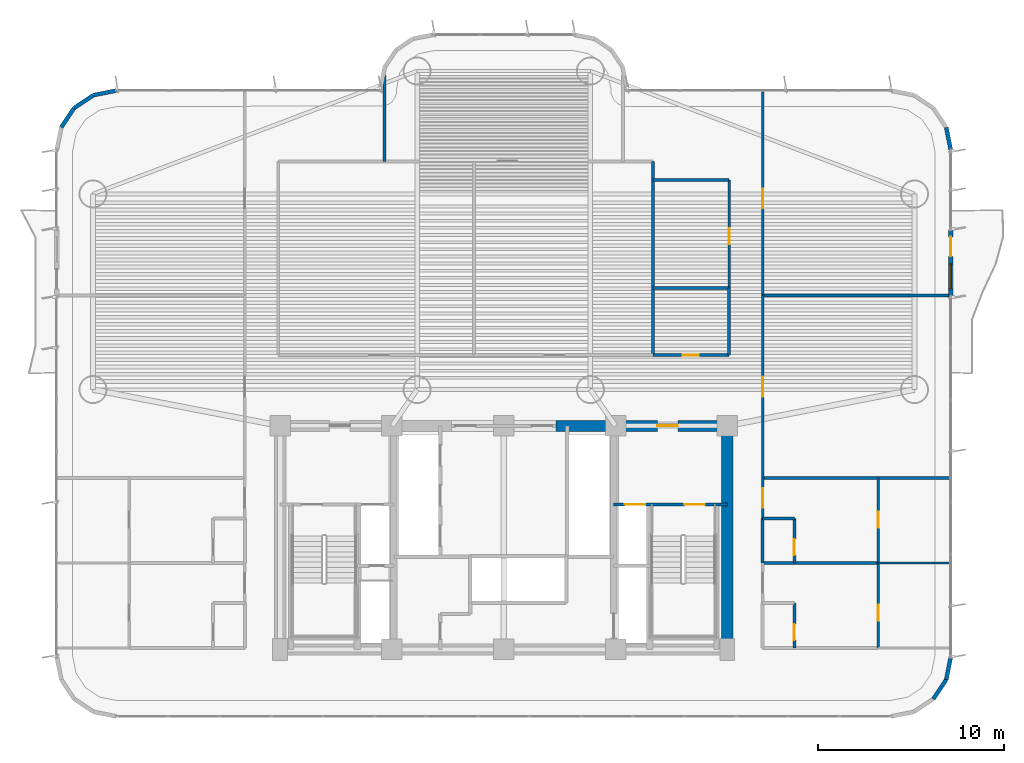
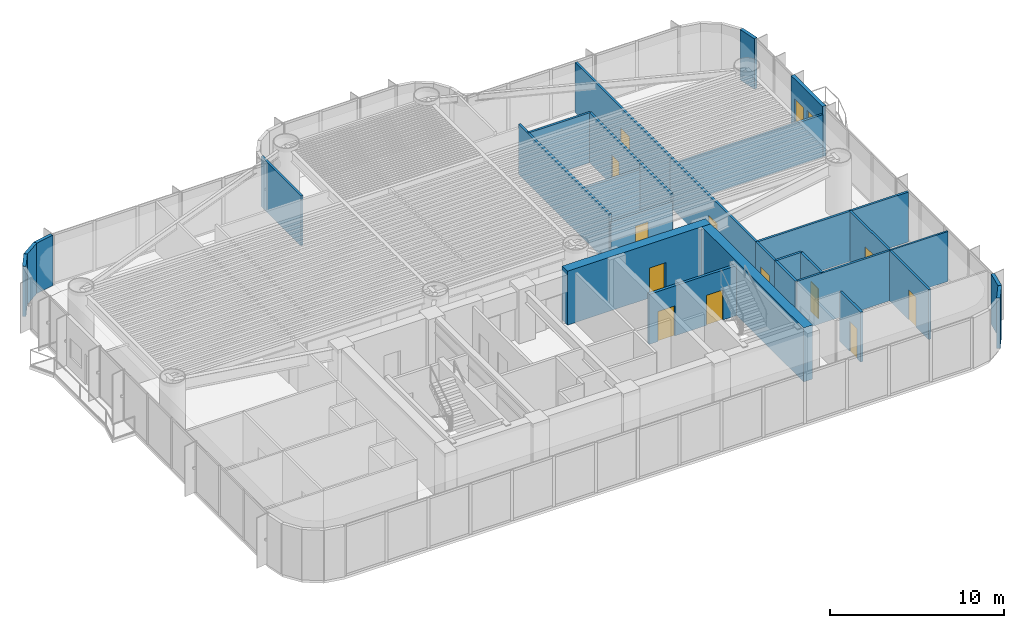
# One storey, part 12 of 17: 30 walls, 13 doors, 1 window, 14 openings.
"""IFC4 building model written with IfcOpenShell, lengths in metres."""

from ifc_helpers import new_model, si_unit, direction, frame, frame_2d, origin, origin_2d, place, context, subcontext, project, spatial, rectangle, extrude, source, transform, mapped, material, layer, layer_set, type_object, element, fill, save


model = new_model("IFC4")

# Units and contexts
model_context = context("Model", 3, precision=1e-05, world=origin(), true_north=direction((0.0, 1.0)))
body_context = subcontext(model_context, "Body", "Model", "MODEL_VIEW")
ifc_project = project(units=[si_unit("LENGTHUNIT", "METRE"), si_unit("AREAUNIT", "SQUARE_METRE"), si_unit("VOLUMEUNIT", "CUBIC_METRE"), si_unit("PLANEANGLEUNIT", "RADIAN"), si_unit("MASSUNIT", "GRAM", prefix="KILO")], contexts=[model_context])

# Site, building, storey
site_placement = place(None, origin())
site = spatial("IfcSite", under=ifc_project, at=site_placement, CompositionType="ELEMENT")
building_placement = place(site_placement, origin())
building = spatial("IfcBuilding", under=site, at=building_placement, Name="Brelvock Crest Care Tower", CompositionType="ELEMENT")
storey_placement = place(building_placement, frame((0.0, 0.0, 49.679931640625)))
storey = spatial("IfcBuildingStorey", under=building, at=storey_placement, Name="L12", CompositionType="ELEMENT", Elevation=49.679931640625)

# Wall
ifc_material_1 = material(Name="Concrete S80 (80 MPa)", Category="concrete")
ifc_layer_1 = layer(ifc_material_1, 0.60009765625, Name="WL-CS1")
ifc_layer_set_1 = layer_set([ifc_layer_1], Name="Concrete S80 (80 MPa)")
wall_type_1 = type_object("IfcWallType", Name="WL-CS1", PredefinedType="SHEAR", material=ifc_layer_set_1)
wall_1_placement = place(storey_placement, frame((48.0, 18.0, 0.0), z_axis=(0.0, 0.0, 1.0), x_axis=(0.0, -1.0, 0.0)))
element("IfcWall", 1, at=wall_1_placement, inside=storey, type_object=wall_type_1, Name="L12 Core East Shear Wall", PredefinedType="SHEAR", context=body_context, shape_type="SweptSolid", body=[
    extrude(rectangle(XDim=12.0, YDim=0.60009765625, at=frame_2d((6.0, 0.0))), origin(), (0.0, 0.0, 1.0), 3.780029296875),
])

# Wall, opening, door
wall_2_placement = place(storey_placement, frame((38.800048828125, 18.0, 0.0), z_axis=(0.0, 0.0, 1.0), x_axis=(1.0, 0.0, 0.0)))
wall_2 = element("IfcWall", 2, at=wall_2_placement, inside=storey, type_object=wall_type_1, Name="L12 Core North-East Shear Wall", PredefinedType="SHEAR", context=body_context, shape_type="SweptSolid", body=[
    extrude(rectangle(XDim=9.5, YDim=0.60009765625, at=frame_2d((4.75, 0.0))), origin(), (0.0, 0.0, 1.0), 3.780029296875),
])
opening_1_placement = place(wall_2_placement, frame((5.449951171875, 0.0, 0.0)))
opening_1 = element("IfcOpeningElement", 3, at=opening_1_placement, cuts=wall_2, Name="Opening FD-1", PredefinedType="OPENING", context=body_context, shape_type="SweptSolid", body=[
    extrude(rectangle(XDim=1.10009765625, YDim=2.10009765625, at=origin_2d()), frame((0.550048828125, 0.31005859375, 1.050048828125), z_axis=(0.0, -1.0, 0.0), x_axis=(1.0, 0.0, 0.0)), (0.0, 0.0, 1.0), 0.6201171875),
])
ifc_material_2 = material(Name="Steel Grade 350", Category="steel")
door_type_1 = type_object("IfcDoorType", Name="DR-FFL1", OperationType="NOTDEFINED", PredefinedType="DOOR", material=ifc_material_2)
shared_shape_1 = source(origin(), body_context, "Body", "SweptSolid", [
    extrude(rectangle(XDim=1.10009765625, YDim=2.10009765625, at=origin_2d()), frame((0.550048828125, 0.02490234375, 1.050048828125), z_axis=(0.0, -1.0, 0.0), x_axis=(1.0, 0.0, 0.0)), (0.0, 0.0, 1.0), 0.050048828125),
])
door_1_placement = place(opening_1_placement, origin())
door_1 = element("IfcDoor", 4, at=door_1_placement, inside=storey, type_object=door_type_1, Name="L12 Firefighting Lobby FFL-2 Exit Door", OperationType="SINGLE_SWING_RIGHT", OverallHeight=2.10009765625, OverallWidth=1.10009765625, PredefinedType="DOOR", context=body_context, shape_type="MappedRepresentation", body=[
    mapped(shared_shape_1, transform((0.0, 0.0, 0.0), x_axis=(1.0, 0.0, 0.0), y_axis=(0.0, 1.0, 0.0), z_axis=(0.0, 0.0, 1.0), scale=1.0)),
])
fill(opening_1, door_1)

# Wall, openings, door, window
ifc_material_3 = material(Name="Precast concrete N40 (40 MPa)", Category="concrete")
ifc_layer_2 = layer(ifc_material_3, 0.239990234375, Name="WL-EX1")
ifc_layer_set_2 = layer_set([ifc_layer_2], Name="Precast concrete N40 (40 MPa)")
wall_type_2 = type_object("IfcWallType", Name="WL-EX1", PredefinedType="SOLIDWALL", material=ifc_layer_set_2)
wall_3_placement = place(storey_placement, frame((60.0, 28.550048828125, 0.0), z_axis=(0.0, 0.0, 1.0), x_axis=(0.0, -1.0, 0.0)))
wall_3 = element("IfcWall", 5, at=wall_3_placement, inside=storey, type_object=wall_type_2, Name="L12 Exterior Spandrel Wall WL-BAL-L12-E", PredefinedType="SOLIDWALL", context=body_context, shape_type="SweptSolid", body=[
    extrude(rectangle(XDim=3.60009765625, YDim=0.239990234375, at=frame_2d((1.800048828125, 0.0))), origin(), (0.0, 0.0, 1.0), 3.530029296875),
])
opening_2_placement = place(wall_3_placement, frame((0.39990234375, 0.0, 0.0)))
opening_2 = element("IfcOpeningElement", 6, at=opening_2_placement, cuts=wall_3, Name="Opening BD-1", PredefinedType="OPENING", context=body_context, shape_type="SweptSolid", body=[
    extrude(rectangle(XDim=1.050048828125, YDim=2.14990234375, at=origin_2d()), frame((0.52490234375, 0.1298828125, 1.074951171875), z_axis=(0.0, -1.0, 0.0), x_axis=(1.0, 0.0, 0.0)), (0.0, 0.0, 1.0), 0.260009765625),
])
opening_3_placement = place(wall_3_placement, frame((1.85009765625, 0.0, 0.85009765625)))
opening_3 = element("IfcOpeningElement", 7, at=opening_3_placement, cuts=wall_3, Name="Opening W-01", PredefinedType="OPENING", context=body_context, shape_type="SweptSolid", body=[
    extrude(rectangle(XDim=1.35009765625, YDim=1.35009765625, at=origin_2d()), frame((0.675048828125, 0.1298828125, 0.675048828125), z_axis=(0.0, -1.0, 0.0), x_axis=(1.0, 0.0, 0.0)), (0.0, 0.0, 1.0), 0.260009765625),
])
ifc_material_4 = material(Name="Dark Glass Double Glazed Low-E", Category="glass")
door_type_2 = type_object("IfcDoorType", Name="DR-BAL1", OperationType="NOTDEFINED", PredefinedType="DOOR", material=ifc_material_4)
shared_shape_2 = source(origin(), body_context, "Body", "SweptSolid", [
    extrude(rectangle(XDim=1.050048828125, YDim=2.14990234375, at=origin_2d()), frame((0.52490234375, 0.02490234375, 1.074951171875), z_axis=(0.0, -1.0, 0.0), x_axis=(1.0, 0.0, 0.0)), (0.0, 0.0, 1.0), 0.050048828125),
])
door_2_placement = place(opening_2_placement, origin())
door_2 = element("IfcDoor", 8, at=door_2_placement, inside=storey, type_object=door_type_2, Name="L12 E Wave Balcony Glazed Door", OperationType="SINGLE_SWING_RIGHT", OverallHeight=2.14990234375, OverallWidth=1.050048828125, PredefinedType="DOOR", context=body_context, shape_type="MappedRepresentation", body=[
    mapped(shared_shape_2, transform((0.0, 0.0, 0.0), x_axis=(1.0, 0.0, 0.0), y_axis=(0.0, 1.0, 0.0), z_axis=(0.0, 0.0, 1.0), scale=1.0)),
])
fill(opening_2, door_2)
window_type = type_object("IfcWindowType", Name="WN-EX1", PartitioningType="SINGLE_PANEL", PredefinedType="WINDOW", material=ifc_material_4)
shared_shape_3 = source(origin(), body_context, "Body", "SweptSolid", [
    extrude(rectangle(XDim=1.35009765625, YDim=1.35009765625, at=origin_2d()), frame((0.675048828125, 0.030029296875, 0.675048828125), z_axis=(0.0, -1.0, 0.0), x_axis=(1.0, 0.0, 0.0)), (0.0, 0.0, 1.0), 0.06005859375),
])
window_placement = place(opening_3_placement, origin())
window = element("IfcWindow", 9, at=window_placement, inside=storey, type_object=window_type, Name="L12 E Suite Casement Window", OverallHeight=1.35009765625, OverallWidth=1.35009765625, PartitioningType="SINGLE_PANEL", PredefinedType="WINDOW", context=body_context, shape_type="MappedRepresentation", body=[
    mapped(shared_shape_3, transform((0.0, 0.0, 0.0), x_axis=(1.0, 0.0, 0.0), y_axis=(0.0, 1.0, 0.0), z_axis=(0.0, 0.0, 1.0), scale=1.0)),
])
fill(opening_3, window)

# Walls
ifc_layer_3 = layer(ifc_material_3, 0.215087890625, Name="WL-EX2")
ifc_layer_set_3 = layer_set([ifc_layer_3], Name="Precast concrete N40 (40 MPa)")
wall_type_3 = type_object("IfcWallType", Name="WL-EX2", PredefinedType="SOLIDWALL", material=ifc_layer_set_3)
for number, where, z_axis, x_axis, name in (
    (10, (59.75634765625, 34.024658203125, 0.0), (0.0, 0.0, 1.0), (0.195138390419, -0.980775717779, 0.0), "L12 Rounded Corner Wall 02"),
    (11, (60.0, 5.60009765625, 0.0), (0.0, 0.0, 1.0), (-0.195138390419, -0.980775717779, 0.0), "L12 Rounded Corner Wall 04"),
    (12, (59.75634765625, 4.37548828125, 0.0), (0.0, 0.0, 1.0), (-0.555557312883, -0.831478245117, 0.0), "L12 Rounded Corner Wall 05"),
    (13, (12.24365234375, 34.024658203125, 0.0), (0.0, 0.0, 1.0), (0.555557312883, 0.831478245117, 0.0), "L12 Rounded Corner Wall 15"),
    (14, (12.937255859375, 35.062744140625, 0.0), (0.0, 0.0, 1.0), (0.831478245117, 0.555557312883, 0.0), "L12 Rounded Corner Wall 16"),
    (15, (13.975341796875, 35.75634765625, 0.0), (0.0, 0.0, 1.0), (0.980775717779, 0.195138390419, 0.0), "L12 Rounded Corner Wall 17"),
):
    element("IfcWall", number, at=place(storey_placement, frame(where, z_axis=z_axis, x_axis=x_axis)), inside=storey, type_object=wall_type_3, Name=name, PredefinedType="SOLIDWALL", context=body_context, shape_type="SweptSolid", body=[
        extrude(rectangle(XDim=1.24853515625, YDim=0.215087890625, at=frame_2d((0.624267578125, 0.0))), origin(), (0.0, 0.0, 1.0), 3.530029296875),
    ])
ifc_material_5 = material(Name="Masonry Blockwork Acoustic Partition", Category="masonry")
ifc_layer_4 = layer(ifc_material_5, 0.14990234375, Name="WL-INT1")
ifc_layer_set_4 = layer_set([ifc_layer_4], Name="Masonry Blockwork Acoustic Partition")
wall_type_4 = type_object("IfcWallType", Name="WL-INT1", PredefinedType="PARTITIONING", material=ifc_layer_set_4)
wall_4_placement = place(storey_placement, frame((49.89990234375, 10.639892578125, 0.0), z_axis=(0.0, 0.0, 1.0), x_axis=(1.0, 0.0, 0.0)))
element("IfcWall", 16, at=wall_4_placement, inside=storey, type_object=wall_type_4, Name="L12 Interior Wall WL-BX-L12-CS-ER1A-N", PredefinedType="PARTITIONING", context=body_context, shape_type="SweptSolid", body=[
    extrude(rectangle(XDim=6.2001953125, YDim=0.14990234375, at=frame_2d((3.10009765625, 0.0))), origin(), (0.0, 0.0, 1.0), 3.5),
])
wall_5_placement = place(storey_placement, frame((49.89990234375, 15.199951171875, 0.0), z_axis=(0.0, 0.0, 1.0), x_axis=(1.0, 0.0, 0.0)))
element("IfcWall", 17, at=wall_5_placement, inside=storey, type_object=wall_type_4, Name="L12 Interior Wall WL-BX-L12-ECL2-S", PredefinedType="PARTITIONING", context=body_context, shape_type="SweptSolid", body=[
    extrude(rectangle(XDim=10.02001953125, YDim=0.14990234375, at=frame_2d((5.010009765625, 0.0))), origin(), (0.0, 0.0, 1.0), 3.5),
])
wall_6_placement = place(storey_placement, frame((49.89990234375, 25.0, 0.0), z_axis=(0.0, 0.0, 1.0), x_axis=(1.0, 0.0, 0.0)))
element("IfcWall", 18, at=wall_6_placement, inside=storey, type_object=wall_type_4, Name="L12 Interior Wall WL-BX-L12-ECL2-N", PredefinedType="PARTITIONING", context=body_context, shape_type="SweptSolid", body=[
    extrude(rectangle(XDim=10.02001953125, YDim=0.14990234375, at=frame_2d((5.010009765625, 0.0))), origin(), (0.0, 0.0, 1.0), 2.982177734375),
])
wall_7_placement = place(storey_placement, frame((44.0, 31.199951171875, 0.0), z_axis=(0.0, 0.0, 1.0), x_axis=(1.0, 0.0, 0.0)))
element("IfcWall", 19, at=wall_7_placement, inside=storey, type_object=wall_type_4, Name="L12 Interior Wall WL-BX-L12-CKIT-N", PredefinedType="PARTITIONING", context=body_context, shape_type="SweptSolid", body=[
    extrude(rectangle(XDim=4.10009765625, YDim=0.14990234375, at=frame_2d((2.050048828125, 0.0))), origin(), (0.0, 0.0, 1.0), 3.5),
])
wall_8_placement = place(storey_placement, frame((29.60009765625, 32.199951171875, 0.0), z_axis=(0.0, 0.0, 1.0), x_axis=(0.0, 1.0, 0.0)))
element("IfcWall", 20, at=wall_8_placement, inside=storey, type_object=wall_type_4, Name="L12 Interior Wall WL-BX-L12-NHUB-W", PredefinedType="PARTITIONING", context=body_context, shape_type="SweptSolid", body=[
    extrude(rectangle(XDim=4.595458984375, YDim=0.14990234375, at=frame_2d((2.2978515625, 0.0))), origin(), (0.0, 0.0, 1.0), 3.5),
])

# Wall, opening, door
wall_9_placement = place(storey_placement, frame((48.10009765625, 25.39990234375, 0.0), z_axis=(0.0, 0.0, 1.0), x_axis=(0.0, 1.0, 0.0)))
wall_9 = element("IfcWall", 21, at=wall_9_placement, inside=storey, type_object=wall_type_4, Name="L12 Interior Wall WL-RM-L12-CKIT", PredefinedType="PARTITIONING", context=body_context, shape_type="SweptSolid", body=[
    extrude(rectangle(XDim=5.800048828125, YDim=0.14990234375, at=frame_2d((2.89990234375, 0.0))), origin(), (0.0, 0.0, 1.0), 3.5),
])
opening_4_placement = place(wall_9_placement, frame((2.340087890625, 0.0, 0.0)))
opening_4 = element("IfcOpeningElement", 22, at=opening_4_placement, cuts=wall_9, Name="Opening ID-1", PredefinedType="OPENING", context=body_context, shape_type="SweptSolid", body=[
    extrude(rectangle(XDim=0.860107421875, YDim=2.10009765625, at=origin_2d()), frame((0.43017578125, 0.0849609375, 1.050048828125), z_axis=(0.0, -1.0, 0.0), x_axis=(1.0, 0.0, 0.0)), (0.0, 0.0, 1.0), 0.169921875),
])
ifc_material_6 = material(Name="Engineered Hardwood Timber", Category="wood")
door_type_3 = type_object("IfcDoorType", Name="DR-INT1", OperationType="NOTDEFINED", PredefinedType="DOOR", material=ifc_material_6)
shared_shape_4 = source(origin(), body_context, "Body", "SweptSolid", [
    extrude(rectangle(XDim=0.860107421875, YDim=2.10009765625, at=origin_2d()), frame((0.43017578125, 0.02490234375, 1.050048828125), z_axis=(0.0, -1.0, 0.0), x_axis=(1.0, 0.0, 0.0)), (0.0, 0.0, 1.0), 0.050048828125),
])
door_3_placement = place(opening_4_placement, origin())
door_3 = element("IfcDoor", 23, at=door_3_placement, inside=storey, type_object=door_type_3, Name="L12 Neighbourhood Pantry Kitchen Door CKIT", OperationType="SINGLE_SWING_LEFT", OverallHeight=2.10009765625, OverallWidth=0.860107421875, PredefinedType="DOOR", context=body_context, shape_type="MappedRepresentation", body=[
    mapped(shared_shape_4, transform((0.0, 0.0, 0.0), x_axis=(1.0, 0.0, 0.0), y_axis=(0.0, 1.0, 0.0), z_axis=(0.0, 0.0, 1.0), scale=1.0)),
])
fill(opening_4, door_3)

wall_10_placement = place(storey_placement, frame((49.89990234375, 13.0400390625, 0.0), z_axis=(0.0, 0.0, 1.0), x_axis=(0.0, 1.0, 0.0)))
wall_10 = element("IfcWall", 24, at=wall_10_placement, inside=storey, type_object=wall_type_4, Name="L12 Interior Wall WL-CENT-L12-ER1B", PredefinedType="PARTITIONING", context=body_context, shape_type="SweptSolid", body=[
    extrude(rectangle(XDim=2.159912109375, YDim=0.14990234375, at=frame_2d((1.080078125, 0.0))), origin(), (0.0, 0.0, 1.0), 3.5),
])
opening_5_placement = place(wall_10_placement, frame((0.56005859375, 0.0, 0.0)))
opening_5 = element("IfcOpeningElement", 25, at=opening_5_placement, cuts=wall_10, Name="Opening CD-1", PredefinedType="OPENING", context=body_context, shape_type="SweptSolid", body=[
    extrude(rectangle(XDim=1.050048828125, YDim=2.10009765625, at=origin_2d()), frame((0.52490234375, 0.0849609375, 1.050048828125), z_axis=(0.0, -1.0, 0.0), x_axis=(1.0, 0.0, 0.0)), (0.0, 0.0, 1.0), 0.169921875),
])
door_type_4 = type_object("IfcDoorType", Name="DR-CARE1", OperationType="NOTDEFINED", PredefinedType="DOOR", material=ifc_material_6)
shared_shape_5 = source(origin(), body_context, "Body", "SweptSolid", [
    extrude(rectangle(XDim=1.050048828125, YDim=2.10009765625, at=origin_2d()), frame((0.52490234375, 0.02490234375, 1.050048828125), z_axis=(0.0, -1.0, 0.0), x_axis=(1.0, 0.0, 0.0)), (0.0, 0.0, 1.0), 0.050048828125),
])
door_4_placement = place(opening_5_placement, origin())
door_4 = element("IfcDoor", 26, at=door_4_placement, inside=storey, type_object=door_type_4, Name="L12 Care Suite Door ER1B", OperationType="SINGLE_SWING_LEFT", OverallHeight=2.10009765625, OverallWidth=1.050048828125, PredefinedType="DOOR", context=body_context, shape_type="MappedRepresentation", body=[
    mapped(shared_shape_5, transform((0.0, 0.0, 0.0), x_axis=(1.0, 0.0, 0.0), y_axis=(0.0, 1.0, 0.0), z_axis=(0.0, 0.0, 1.0), scale=1.0)),
])
fill(opening_5, door_4)

wall_11_placement = place(storey_placement, frame((49.89990234375, 15.199951171875, 0.0), z_axis=(0.0, 0.0, 1.0), x_axis=(0.0, 1.0, 0.0)))
wall_11 = element("IfcWall", 27, at=wall_11_placement, inside=storey, type_object=wall_type_4, Name="L12 Interior Wall WL-RM-L12-ECL2", PredefinedType="PARTITIONING", context=body_context, shape_type="SweptSolid", body=[
    extrude(rectangle(XDim=9.800048828125, YDim=0.14990234375, at=frame_2d((4.89990234375, 0.0))), origin(), (0.0, 0.0, 1.0), 3.5),
])
opening_6_placement = place(wall_11_placement, frame((4.375, 0.0, 0.0)))
opening_6 = element("IfcOpeningElement", 28, at=opening_6_placement, cuts=wall_11, Name="Opening CLD-1", PredefinedType="OPENING", context=body_context, shape_type="SweptSolid", body=[
    extrude(rectangle(XDim=1.050048828125, YDim=2.10009765625, at=origin_2d()), frame((0.52490234375, 0.0849609375, 1.050048828125), z_axis=(0.0, -1.0, 0.0), x_axis=(1.0, 0.0, 0.0)), (0.0, 0.0, 1.0), 0.169921875),
])
door_type_5 = type_object("IfcDoorType", Name="DR-CLN1", OperationType="NOTDEFINED", PredefinedType="DOOR", material=ifc_material_6)
shared_shape_6 = source(origin(), body_context, "Body", "SweptSolid", [
    extrude(rectangle(XDim=1.050048828125, YDim=2.10009765625, at=origin_2d()), frame((0.52490234375, 0.02490234375, 1.050048828125), z_axis=(0.0, -1.0, 0.0), x_axis=(1.0, 0.0, 0.0)), (0.0, 0.0, 1.0), 0.050048828125),
])
door_5_placement = place(opening_6_placement, origin())
door_5 = element("IfcDoor", 29, at=door_5_placement, inside=storey, type_object=door_type_5, Name="L12 Occupational Therapy Clinic Door ECL2", OperationType="SINGLE_SWING_LEFT", OverallHeight=2.10009765625, OverallWidth=1.050048828125, PredefinedType="DOOR", context=body_context, shape_type="MappedRepresentation", body=[
    mapped(shared_shape_6, transform((0.0, 0.0, 0.0), x_axis=(1.0, 0.0, 0.0), y_axis=(0.0, 1.0, 0.0), z_axis=(0.0, 0.0, 1.0), scale=1.0)),
])
fill(opening_6, door_5)

wall_12_placement = place(storey_placement, frame((49.89990234375, 25.0, 0.0), z_axis=(0.0, 0.0, 1.0), x_axis=(0.0, 1.0, 0.0)))
wall_12 = element("IfcWall", 30, at=wall_12_placement, inside=storey, type_object=wall_type_4, Name="L12 Interior Wall WL-RM-L12-ECL3", PredefinedType="PARTITIONING", context=body_context, shape_type="SweptSolid", body=[
    extrude(rectangle(XDim=10.920166015625, YDim=0.14990234375, at=frame_2d((5.4599609375, 0.0))), origin(), (0.0, 0.0, 1.0), 3.5),
])
opening_7_placement = place(wall_12_placement, frame((4.675048828125, 0.0, 0.0)))
opening_7 = element("IfcOpeningElement", 31, at=opening_7_placement, cuts=wall_12, Name="Opening CLD-1", PredefinedType="OPENING", context=body_context, shape_type="SweptSolid", body=[
    extrude(rectangle(XDim=1.050048828125, YDim=2.10009765625, at=origin_2d()), frame((0.52490234375, 0.0849609375, 1.050048828125), z_axis=(0.0, -1.0, 0.0), x_axis=(1.0, 0.0, 0.0)), (0.0, 0.0, 1.0), 0.169921875),
])
door_6_placement = place(opening_7_placement, origin())
door_6 = element("IfcDoor", 32, at=door_6_placement, inside=storey, type_object=door_type_5, Name="L12 Occupational Therapy Clinic Door ECL3", OperationType="SINGLE_SWING_LEFT", OverallHeight=2.10009765625, OverallWidth=1.050048828125, PredefinedType="DOOR", context=body_context, shape_type="MappedRepresentation", body=[
    mapped(shared_shape_6, transform((0.0, 0.0, 0.0), x_axis=(1.0, 0.0, 0.0), y_axis=(0.0, 1.0, 0.0), z_axis=(0.0, 0.0, 1.0), scale=1.0)),
])
fill(opening_7, door_6)

wall_13_placement = place(storey_placement, frame((56.10009765625, 6.080078125, 0.0), z_axis=(0.0, 0.0, 1.0), x_axis=(0.0, 1.0, 0.0)))
wall_13 = element("IfcWall", 33, at=wall_13_placement, inside=storey, type_object=wall_type_4, Name="L12 Interior Wall WL-RM-L12-ER1AS", PredefinedType="PARTITIONING", context=body_context, shape_type="SweptSolid", body=[
    extrude(rectangle(XDim=4.559814453125, YDim=0.14990234375, at=frame_2d((2.27978515625, 0.0))), origin(), (0.0, 0.0, 1.0), 3.5),
])
opening_8_placement = place(wall_13_placement, frame((1.4599609375, 0.0, 0.0)))
opening_8 = element("IfcOpeningElement", 34, at=opening_8_placement, cuts=wall_13, Name="Opening ID-1", PredefinedType="OPENING", context=body_context, shape_type="SweptSolid", body=[
    extrude(rectangle(XDim=0.860107421875, YDim=2.10009765625, at=origin_2d()), frame((0.43017578125, 0.0849609375, 1.050048828125), z_axis=(0.0, -1.0, 0.0), x_axis=(1.0, 0.0, 0.0)), (0.0, 0.0, 1.0), 0.169921875),
])
door_7_placement = place(opening_8_placement, origin())
door_7 = element("IfcDoor", 35, at=door_7_placement, inside=storey, type_object=door_type_3, Name="L12 Rehab Recovery Mobility Store Door ER1AS", OperationType="SINGLE_SWING_LEFT", OverallHeight=2.10009765625, OverallWidth=0.860107421875, PredefinedType="DOOR", context=body_context, shape_type="MappedRepresentation", body=[
    mapped(shared_shape_4, transform((0.0, 0.0, 0.0), x_axis=(1.0, 0.0, 0.0), y_axis=(0.0, 1.0, 0.0), z_axis=(0.0, 0.0, 1.0), scale=1.0)),
])
fill(opening_8, door_7)

wall_14_placement = place(storey_placement, frame((56.10009765625, 10.639892578125, 0.0), z_axis=(0.0, 0.0, 1.0), x_axis=(0.0, 1.0, 0.0)))
wall_14 = element("IfcWall", 36, at=wall_14_placement, inside=storey, type_object=wall_type_4, Name="L12 Interior Wall WL-RM-L12-ER1BS", PredefinedType="PARTITIONING", context=body_context, shape_type="SweptSolid", body=[
    extrude(rectangle(XDim=4.56005859375, YDim=0.14990234375, at=frame_2d((2.280029296875, 0.0))), origin(), (0.0, 0.0, 1.0), 3.5),
])
opening_9_placement = place(wall_14_placement, frame((1.89990234375, 0.0, 0.0)))
opening_9 = element("IfcOpeningElement", 37, at=opening_9_placement, cuts=wall_14, Name="Opening ID-1", PredefinedType="OPENING", context=body_context, shape_type="SweptSolid", body=[
    extrude(rectangle(XDim=0.860107421875, YDim=2.10009765625, at=origin_2d()), frame((0.43017578125, 0.0849609375, 1.050048828125), z_axis=(0.0, -1.0, 0.0), x_axis=(1.0, 0.0, 0.0)), (0.0, 0.0, 1.0), 0.169921875),
])
door_8_placement = place(opening_9_placement, origin())
door_8 = element("IfcDoor", 38, at=door_8_placement, inside=storey, type_object=door_type_3, Name="L12 Rehab Recovery Mobility Store Door ER1BS", OperationType="SINGLE_SWING_LEFT", OverallHeight=2.10009765625, OverallWidth=0.860107421875, PredefinedType="DOOR", context=body_context, shape_type="MappedRepresentation", body=[
    mapped(shared_shape_4, transform((0.0, 0.0, 0.0), x_axis=(1.0, 0.0, 0.0), y_axis=(0.0, 1.0, 0.0), z_axis=(0.0, 0.0, 1.0), scale=1.0)),
])
fill(opening_9, door_8)

# Walls
ifc_material_7 = material(Name="Gypsum Plasterboard Partition", Category="gypsum")
ifc_layer_5 = layer(ifc_material_7, 0.1201171875, Name="WL-INT2")
ifc_layer_set_5 = layer_set([ifc_layer_5], Name="Gypsum Plasterboard Partition")
wall_type_5 = type_object("IfcWallType", Name="WL-INT2", PredefinedType="PARTITIONING", material=ifc_layer_set_5)
wall_15_placement = place(storey_placement, frame((56.10009765625, 10.639892578125, 0.0), z_axis=(0.0, 0.0, 1.0), x_axis=(1.0, 0.0, 0.0)))
element("IfcWall", 39, at=wall_15_placement, inside=storey, type_object=wall_type_5, Name="L12 Interior Wall WL-BX-L12-ER1AS-N", PredefinedType="PARTITIONING", context=body_context, shape_type="SweptSolid", body=[
    extrude(rectangle(XDim=3.81982421875, YDim=0.1201171875, at=frame_2d((1.909912109375, 0.0))), origin(), (0.0, 0.0, 1.0), 3.5),
])
ifc_layer_6 = layer(ifc_material_7, 0.159912109375, Name="WL-PLM1")
ifc_layer_set_6 = layer_set([ifc_layer_6], Name="Gypsum Plasterboard Partition")
wall_type_6 = type_object("IfcWallType", Name="WL-PLM1", PredefinedType="PLUMBINGWALL", material=ifc_layer_set_6)
wall_16_placement = place(storey_placement, frame((49.89990234375, 13.0400390625, 0.0), z_axis=(0.0, 0.0, 1.0), x_axis=(1.0, 0.0, 0.0)))
element("IfcWall", 40, at=wall_16_placement, inside=storey, type_object=wall_type_6, Name="L12 Interior Wall WL-CENS2-L12-ER1B", PredefinedType="PLUMBINGWALL", context=body_context, shape_type="SweptSolid", body=[
    extrude(rectangle(XDim=1.7001953125, YDim=0.159912109375, at=frame_2d((0.85009765625, 0.0))), origin(), (0.0, 0.0, 1.0), 3.5),
])

# Wall, opening, door
wall_17_placement = place(storey_placement, frame((44.0, 21.800048828125, 0.0), z_axis=(0.0, 0.0, 1.0), x_axis=(1.0, 0.0, 0.0)))
wall_17 = element("IfcWall", 41, at=wall_17_placement, inside=storey, type_object=wall_type_6, Name="L12 Interior Wall WL-RM-L12-CAWC", PredefinedType="PLUMBINGWALL", context=body_context, shape_type="SweptSolid", body=[
    extrude(rectangle(XDim=4.10009765625, YDim=0.159912109375, at=frame_2d((2.050048828125, 0.0))), origin(), (0.0, 0.0, 1.0), 2.982177734375),
])
opening_10_placement = place(wall_17_placement, frame((1.6201171875, 0.0, 0.0)))
opening_10 = element("IfcOpeningElement", 42, at=opening_10_placement, cuts=wall_17, Name="Opening WD-1", PredefinedType="OPENING", context=body_context, shape_type="SweptSolid", body=[
    extrude(rectangle(XDim=0.860107421875, YDim=2.10009765625, at=origin_2d()), frame((0.43017578125, 0.08984375, 1.050048828125), z_axis=(0.0, -1.0, 0.0), x_axis=(1.0, 0.0, 0.0)), (0.0, 0.0, 1.0), 0.179931640625),
])
door_type_6 = type_object("IfcDoorType", Name="DR-WC1", OperationType="NOTDEFINED", PredefinedType="DOOR", material=ifc_material_6)
shared_shape_7 = source(origin(), body_context, "Body", "SweptSolid", [
    extrude(rectangle(XDim=0.860107421875, YDim=2.10009765625, at=origin_2d()), frame((0.43017578125, 0.02490234375, 1.050048828125), z_axis=(0.0, -1.0, 0.0), x_axis=(1.0, 0.0, 0.0)), (0.0, 0.0, 1.0), 0.050048828125),
])
door_9_placement = place(opening_10_placement, origin())
door_9 = element("IfcDoor", 43, at=door_9_placement, inside=storey, type_object=door_type_6, Name="L12 Floor Accessible WC Door CAWC", OperationType="SINGLE_SWING_LEFT", OverallHeight=2.10009765625, OverallWidth=0.860107421875, PredefinedType="DOOR", context=body_context, shape_type="MappedRepresentation", body=[
    mapped(shared_shape_7, transform((0.0, 0.0, 0.0), x_axis=(1.0, 0.0, 0.0), y_axis=(0.0, 1.0, 0.0), z_axis=(0.0, 0.0, 1.0), scale=1.0)),
])
fill(opening_10, door_9)

# Walls
wall_18_placement = place(storey_placement, frame((44.0, 25.39990234375, 0.0), z_axis=(0.0, 0.0, 1.0), x_axis=(1.0, 0.0, 0.0)))
element("IfcWall", 44, at=wall_18_placement, inside=storey, type_object=wall_type_6, Name="L12 Interior Wall WL-BX-L12-CAWC-N", PredefinedType="PLUMBINGWALL", context=body_context, shape_type="SweptSolid", body=[
    extrude(rectangle(XDim=4.10009765625, YDim=0.159912109375, at=frame_2d((2.050048828125, 0.0))), origin(), (0.0, 0.0, 1.0), 3.05517578125),
])
wall_19_placement = place(storey_placement, frame((44.0, 21.800048828125, 0.0), z_axis=(0.0, 0.0, 1.0), x_axis=(0.0, 1.0, 0.0)))
element("IfcWall", 45, at=wall_19_placement, inside=storey, type_object=wall_type_6, Name="L12 Interior Wall WL-BX-L12-CNE-E", PredefinedType="PLUMBINGWALL", context=body_context, shape_type="SweptSolid", body=[
    extrude(rectangle(XDim=10.39990234375, YDim=0.159912109375, at=frame_2d((5.199951171875, 0.0))), origin(), (0.0, 0.0, 1.0), 3.5),
])
wall_20_placement = place(storey_placement, frame((48.10009765625, 21.800048828125, 0.0), z_axis=(0.0, 0.0, 1.0), x_axis=(0.0, 1.0, 0.0)))
element("IfcWall", 46, at=wall_20_placement, inside=storey, type_object=wall_type_6, Name="L12 Interior Wall WL-BX-L12-CAWC-E", PredefinedType="PLUMBINGWALL", context=body_context, shape_type="SweptSolid", body=[
    extrude(rectangle(XDim=3.599853515625, YDim=0.159912109375, at=frame_2d((1.7998046875, 0.0))), origin(), (0.0, 0.0, 1.0), 3.5),
])
wall_21_placement = place(storey_placement, frame((49.89990234375, 10.639892578125, 0.0), z_axis=(0.0, 0.0, 1.0), x_axis=(0.0, 1.0, 0.0)))
element("IfcWall", 47, at=wall_21_placement, inside=storey, type_object=wall_type_6, Name="L12 Interior Wall WL-CENS0-L12-ER1B", PredefinedType="PLUMBINGWALL", context=body_context, shape_type="SweptSolid", body=[
    extrude(rectangle(XDim=2.400146484375, YDim=0.159912109375, at=frame_2d((1.2001953125, 0.0))), origin(), (0.0, 0.0, 1.0), 3.5),
])

# Wall, opening, door
wall_22_placement = place(storey_placement, frame((51.60009765625, 6.080078125, 0.0), z_axis=(0.0, 0.0, 1.0), x_axis=(0.0, 1.0, 0.0)))
wall_22 = element("IfcWall", 48, at=wall_22_placement, inside=storey, type_object=wall_type_6, Name="L12 Interior Wall WL-CENS1-L12-ER1A", PredefinedType="PLUMBINGWALL", context=body_context, shape_type="SweptSolid", body=[
    extrude(rectangle(XDim=2.39990234375, YDim=0.159912109375, at=frame_2d((1.199951171875, 0.0))), origin(), (0.0, 0.0, 1.0), 3.5),
])
opening_11_placement = place(wall_22_placement, frame((0.419921875, 0.0, 0.0)))
opening_11 = element("IfcOpeningElement", 49, at=opening_11_placement, cuts=wall_22, Name="Opening WD-1", PredefinedType="OPENING", context=body_context, shape_type="SweptSolid", body=[
    extrude(rectangle(XDim=0.860107421875, YDim=2.10009765625, at=origin_2d()), frame((0.43017578125, 0.08984375, 1.050048828125), z_axis=(0.0, -1.0, 0.0), x_axis=(1.0, 0.0, 0.0)), (0.0, 0.0, 1.0), 0.179931640625),
])
door_10_placement = place(opening_11_placement, origin())
door_10 = element("IfcDoor", 50, at=door_10_placement, inside=storey, type_object=door_type_6, Name="L12 Care En-Suite Door ER1A", OperationType="SINGLE_SWING_RIGHT", OverallHeight=2.10009765625, OverallWidth=0.860107421875, PredefinedType="DOOR", context=body_context, shape_type="MappedRepresentation", body=[
    mapped(shared_shape_7, transform((0.0, 0.0, 0.0), x_axis=(1.0, 0.0, 0.0), y_axis=(0.0, 1.0, 0.0), z_axis=(0.0, 0.0, 1.0), scale=1.0)),
])
fill(opening_11, door_10)

wall_23_placement = place(storey_placement, frame((51.60009765625, 10.639892578125, 0.0), z_axis=(0.0, 0.0, 1.0), x_axis=(0.0, 1.0, 0.0)))
wall_23 = element("IfcWall", 51, at=wall_23_placement, inside=storey, type_object=wall_type_6, Name="L12 Interior Wall WL-CENS1-L12-ER1B", PredefinedType="PLUMBINGWALL", context=body_context, shape_type="SweptSolid", body=[
    extrude(rectangle(XDim=2.400146484375, YDim=0.159912109375, at=frame_2d((1.2001953125, 0.0))), origin(), (0.0, 0.0, 1.0), 3.5),
])
opening_12_placement = place(wall_23_placement, frame((0.419921875, 0.0, 0.0)))
opening_12 = element("IfcOpeningElement", 52, at=opening_12_placement, cuts=wall_23, Name="Opening WD-1", PredefinedType="OPENING", context=body_context, shape_type="SweptSolid", body=[
    extrude(rectangle(XDim=0.860107421875, YDim=2.10009765625, at=origin_2d()), frame((0.43017578125, 0.08984375, 1.050048828125), z_axis=(0.0, -1.0, 0.0), x_axis=(1.0, 0.0, 0.0)), (0.0, 0.0, 1.0), 0.179931640625),
])
door_11_placement = place(opening_12_placement, origin())
door_11 = element("IfcDoor", 53, at=door_11_placement, inside=storey, type_object=door_type_6, Name="L12 Care En-Suite Door ER1B", OperationType="SINGLE_SWING_RIGHT", OverallHeight=2.10009765625, OverallWidth=0.860107421875, PredefinedType="DOOR", context=body_context, shape_type="MappedRepresentation", body=[
    mapped(shared_shape_7, transform((0.0, 0.0, 0.0), x_axis=(1.0, 0.0, 0.0), y_axis=(0.0, 1.0, 0.0), z_axis=(0.0, 0.0, 1.0), scale=1.0)),
])
fill(opening_12, door_11)

# Wall, openings, doors
ifc_layer_7 = layer(ifc_material_5, 0.179931640625, Name="WL-SHF1")
ifc_layer_set_7 = layer_set([ifc_layer_7], Name="Masonry Blockwork Acoustic Partition")
wall_type_7 = type_object("IfcWallType", Name="WL-SHF1", PredefinedType="PARTITIONING", material=ifc_layer_set_7)
wall_24_placement = place(storey_placement, frame((41.89990234375, 13.780029296875, 0.0), z_axis=(0.0, 0.0, 1.0), x_axis=(1.0, 0.0, 0.0)))
wall_24 = element("IfcWall", 54, at=wall_24_placement, inside=storey, type_object=wall_type_7, Name="L12 Interior Wall WL-ST2-N-L12", PredefinedType="PARTITIONING", context=body_context, shape_type="SweptSolid", body=[
    extrude(rectangle(XDim=6.10009765625, YDim=0.179931640625, at=frame_2d((3.050048828125, 0.0))), origin(), (0.0, 0.0, 1.0), 3.5),
])
opening_13_placement = place(wall_24_placement, frame((0.60009765625, 0.0, 0.0)))
opening_13 = element("IfcOpeningElement", 55, at=opening_13_placement, cuts=wall_24, Name="Opening LD", PredefinedType="OPENING", context=body_context, shape_type="SweptSolid", body=[
    extrude(rectangle(XDim=1.10009765625, YDim=2.10009765625, at=origin_2d()), frame((0.550048828125, 0.10009765625, 1.050048828125), z_axis=(0.0, -1.0, 0.0), x_axis=(1.0, 0.0, 0.0)), (0.0, 0.0, 1.0), 0.199951171875),
])
opening_14_placement = place(wall_24_placement, frame((3.800048828125, 0.0, 0.0)))
opening_14 = element("IfcOpeningElement", 56, at=opening_14_placement, cuts=wall_24, Name="Opening SD-1", PredefinedType="OPENING", context=body_context, shape_type="SweptSolid", body=[
    extrude(rectangle(XDim=1.10009765625, YDim=2.10009765625, at=origin_2d()), frame((0.550048828125, 0.10009765625, 1.050048828125), z_axis=(0.0, -1.0, 0.0), x_axis=(1.0, 0.0, 0.0)), (0.0, 0.0, 1.0), 0.199951171875),
])
door_type_7 = type_object("IfcDoorType", Name="DR-ST1", OperationType="NOTDEFINED", PredefinedType="DOOR", material=ifc_material_2)
shared_shape_8 = source(origin(), body_context, "Body", "SweptSolid", [
    extrude(rectangle(XDim=1.10009765625, YDim=2.10009765625, at=origin_2d()), frame((0.550048828125, 0.02490234375, 1.050048828125), z_axis=(0.0, -1.0, 0.0), x_axis=(1.0, 0.0, 0.0)), (0.0, 0.0, 1.0), 0.050048828125),
])
door_12_placement = place(opening_14_placement, origin())
door_12 = element("IfcDoor", 57, at=door_12_placement, inside=storey, type_object=door_type_7, Name="L12 Fire Stair ST-2 Door", OperationType="SINGLE_SWING_RIGHT", OverallHeight=2.10009765625, OverallWidth=1.10009765625, PredefinedType="DOOR", context=body_context, shape_type="MappedRepresentation", body=[
    mapped(shared_shape_8, transform((0.0, 0.0, 0.0), x_axis=(1.0, 0.0, 0.0), y_axis=(0.0, 1.0, 0.0), z_axis=(0.0, 0.0, 1.0), scale=1.0)),
])
fill(opening_14, door_12)
door_type_8 = type_object("IfcDoorType", Name="DR-LD1", OperationType="NOTDEFINED", PredefinedType="DOOR", material=ifc_material_2)
shared_shape_9 = source(origin(), body_context, "Body", "SweptSolid", [
    extrude(rectangle(XDim=1.10009765625, YDim=2.10009765625, at=origin_2d()), frame((0.550048828125, 0.02490234375, 1.050048828125), z_axis=(0.0, -1.0, 0.0), x_axis=(1.0, 0.0, 0.0)), (0.0, 0.0, 1.0), 0.050048828125),
])
door_13_placement = place(opening_13_placement, origin())
door_13 = element("IfcDoor", 58, at=door_13_placement, inside=storey, type_object=door_type_8, Name="L12 Firefighting Lift FFL-2 Landing Door", OperationType="SLIDING_TO_RIGHT", OverallHeight=2.10009765625, OverallWidth=1.10009765625, PredefinedType="DOOR", context=body_context, shape_type="MappedRepresentation", body=[
    mapped(shared_shape_9, transform((0.0, 0.0, 0.0), x_axis=(1.0, 0.0, 0.0), y_axis=(0.0, 1.0, 0.0), z_axis=(0.0, 0.0, 1.0), scale=1.0)),
])
fill(opening_13, door_13)

save(model, "model.ifc")
